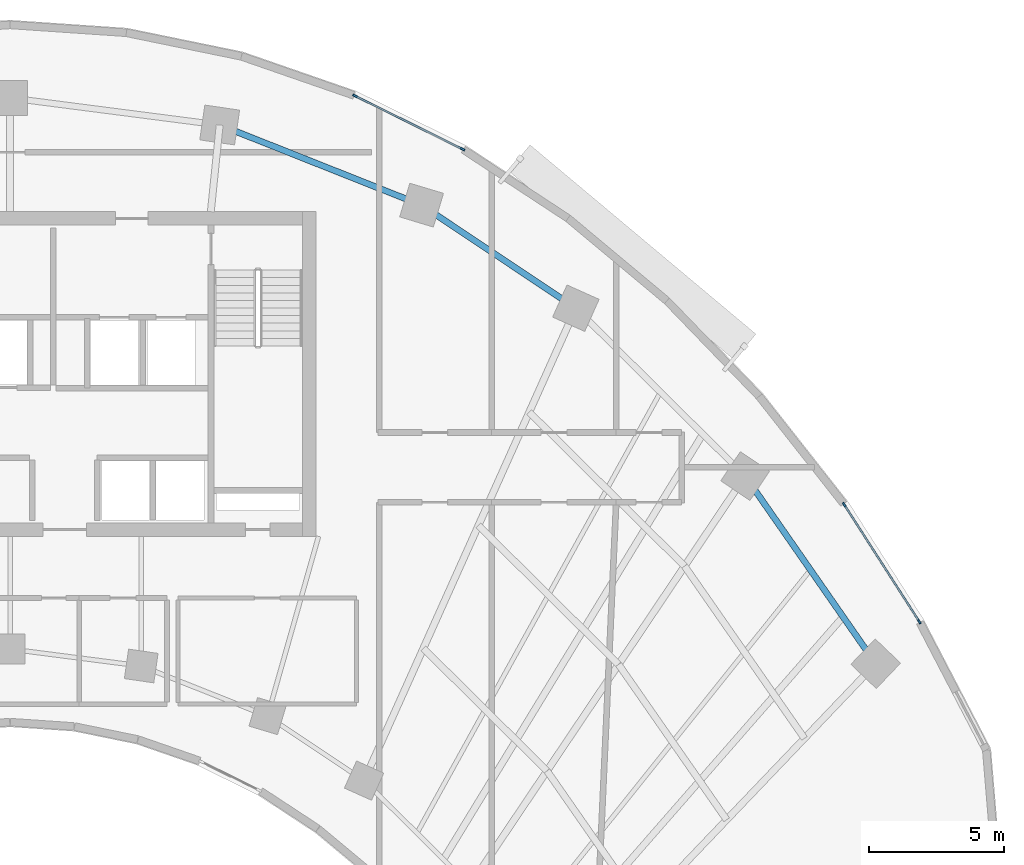
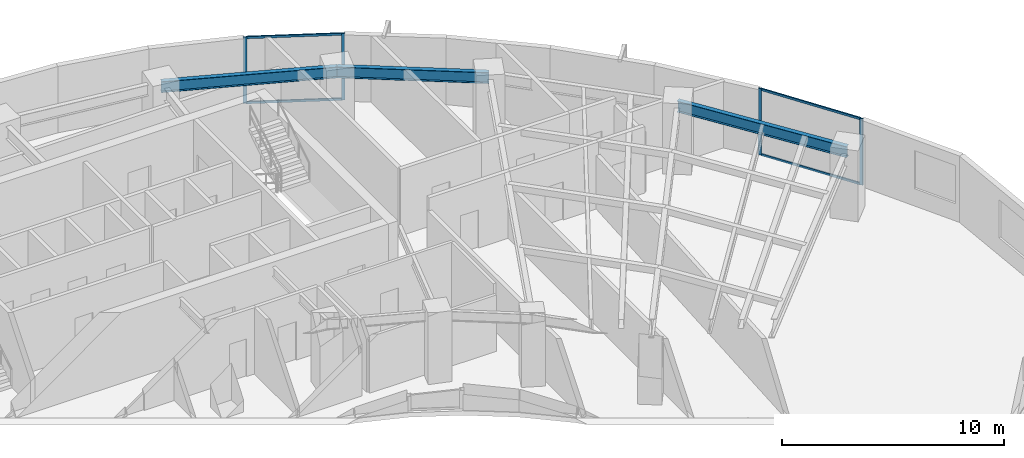
# One storey, part 6 of 14: 8 members, 3 beams, 2 elements without a shape of their own.
"""IFC4 building model written with IfcOpenShell, lengths in metres."""

from ifc_helpers import new_model, si_unit, direction, frame, origin, origin_2d, place, context, subcontext, project, spatial, rectangle, i_section, extrude, source, transform, mapped, material, layer, layer_set, material_profile, profile_set, type_object, element, aggregate, save


model = new_model("IFC4")

# Units and contexts
model_context = context("Model", 3, precision=1e-05, world=origin(), true_north=direction((0.0, 1.0)))
body_context = subcontext(model_context, "Body", "Model", "MODEL_VIEW")
ifc_project = project(units=[si_unit("LENGTHUNIT", "METRE"), si_unit("AREAUNIT", "SQUARE_METRE"), si_unit("VOLUMEUNIT", "CUBIC_METRE"), si_unit("PLANEANGLEUNIT", "RADIAN"), si_unit("MASSUNIT", "GRAM", prefix="KILO")], contexts=[model_context])

# Site, building, storey
site_placement = place(None, origin())
site = spatial("IfcSite", under=ifc_project, at=site_placement, CompositionType="ELEMENT")
building_placement = place(site_placement, origin())
building = spatial("IfcBuilding", under=site, at=building_placement, Name="Breltana Convention Tower", CompositionType="ELEMENT")
storey_placement = place(building_placement, frame((0.0, 0.0, 131.10009765625)))
storey = spatial("IfcBuildingStorey", under=building, at=storey_placement, Name="L31", CompositionType="ELEMENT", Elevation=131.10009765625)

# Beams
ifc_material_1 = material(Name="Steel ASTM A992 Grade 50", Category="steel")
ifc_material_profile_1 = material_profile(ifc_material_1, i_section(OverallWidth=0.22802734375, OverallDepth=0.60791015625, WebThickness=0.01123046875, FlangeThickness=0.017333984375, at=origin_2d()), Name="W24X76")
ifc_profile_set_1 = profile_set([ifc_material_profile_1], Name="Steel ASTM A992 Grade 50")
beam_type = type_object("IfcBeamType", Name="BM-SP-W24X76", PredefinedType="SPANDREL", material=ifc_profile_set_1)
shared_shape_1 = source(origin(), body_context, "Body", "SweptSolid", [
    extrude(i_section(OverallWidth=0.22802734375, OverallDepth=0.60791015625, WebThickness=0.01123046875, FlangeThickness=0.017333984375, at=origin_2d()), origin(), (0.0, 0.0, 1.0), 8.028564453125),
])
beam_1_placement = place(storey_placement, frame((55.746826171875, 75.404296875, 3.345947265625), z_axis=(0.929459100394, -0.368925169507, 0.0), x_axis=(0.368925169507, 0.929459100394, 0.0)))
element("IfcBeam", 1, at=beam_1_placement, inside=storey, type_object=beam_type, Name="L31 Outer Spandrel Beam 07", PredefinedType="SPANDREL", context=body_context, shape_type="MappedRepresentation", body=[
    mapped(shared_shape_1, transform((0.0, 0.0, 0.0), scale=1.0)),
])
shared_shape_2 = source(origin(), body_context, "Body", "SweptSolid", [
    extrude(i_section(OverallWidth=0.22802734375, OverallDepth=0.60791015625, WebThickness=0.01123046875, FlangeThickness=0.017333984375, at=origin_2d()), origin(), (0.0, 0.0, 1.0), 6.856689453125),
])
beam_2_placement = place(storey_placement, frame((63.208984375, 72.4423828125, 3.345947265625), z_axis=(0.83150210718, -0.55552159792, 0.0), x_axis=(0.55552159792, 0.83150210718, 0.0)))
element("IfcBeam", 2, at=beam_2_placement, inside=storey, type_object=beam_type, Name="L31 Outer Spandrel Beam 08", PredefinedType="SPANDREL", context=body_context, shape_type="MappedRepresentation", body=[
    mapped(shared_shape_2, transform((0.0, 0.0, 0.0), scale=1.0)),
])
shared_shape_3 = source(origin(), body_context, "Body", "SweptSolid", [
    extrude(i_section(OverallWidth=0.22802734375, OverallDepth=0.60791015625, WebThickness=0.01123046875, FlangeThickness=0.017333984375, at=origin_2d()), origin(), (0.0, 0.0, 1.0), 8.44970703125),
])
beam_3_placement = place(storey_placement, frame((75.166748046875, 62.43017578125, 3.345947265625), z_axis=(0.5711855381, -0.820820979913, 0.0), x_axis=(0.820820979913, 0.5711855381, 0.0)))
element("IfcBeam", 3, at=beam_3_placement, inside=storey, type_object=beam_type, Name="L31 Outer Spandrel Beam 10", PredefinedType="SPANDREL", context=body_context, shape_type="MappedRepresentation", body=[
    mapped(shared_shape_3, transform((0.0, 0.0, 0.0), scale=1.0)),
])

# Curtain wall, members
ifc_material_2 = material(Name="Aluminium Anodised Bronze Frame", Category="aluminium")
ifc_layer = layer(ifc_material_2, 0.22998046875, Name="Aluminium Anodised Bronze Frame")
ifc_layer_set = layer_set([ifc_layer], Name="Aluminium Anodised Bronze Frame")
curtain_wall_type = type_object("IfcCurtainWallType", Name="CW-SYS-5", PredefinedType="NOTDEFINED", material=ifc_layer_set)
curtain_wall_1_placement = place(storey_placement, origin())
curtain_wall_1 = element("IfcCurtainWall", 4, at=curtain_wall_1_placement, inside=storey, type_object=curtain_wall_type, Name="L31 outer double-skin inner glazing 4", PredefinedType="NOTDEFINED")
ifc_material_3 = material(Name="Aluminium Anodised Bronze", Category="aluminium")
ifc_material_profile_2 = material_profile(ifc_material_3, rectangle(XDim=0.070068359375, YDim=0.175048828125, at=origin_2d()), Name="CWM-70X175")
ifc_profile_set_2 = profile_set([ifc_material_profile_2], Name="Aluminium Anodised Bronze")
member_type_1 = type_object("IfcMemberType", Name="CWM-175", PredefinedType="MULLION", material=ifc_profile_set_2)
shared_shape_4 = source(origin(), body_context, "Body", "SweptSolid", [
    extrude(rectangle(XDim=0.070068359375, YDim=0.175048828125, at=origin_2d()), origin(), (0.0, 0.0, 1.0), 3.64990234375),
])
member_1_placement = place(storey_placement, frame((60.74560546875, 76.48193359375, 0.0), z_axis=(0.0, 0.0, 1.0), x_axis=(0.444121541007, 0.895966548937, 0.0)))
member_1 = element("IfcMember", 5, at=member_1_placement, type_object=member_type_1, Name="CW-05 mullion 1", PredefinedType="MULLION", context=body_context, shape_type="MappedRepresentation", body=[
    mapped(shared_shape_4, transform((0.0, 0.0, 0.0), scale=1.0)),
])
member_2_placement = place(storey_placement, frame((64.719970703125, 74.511962890625, 0.0), z_axis=(0.0, 0.0, 1.0), x_axis=(0.444121541007, 0.895966548937, 0.0)))
member_2 = element("IfcMember", 6, at=member_2_placement, type_object=member_type_1, Name="CW-05 mullion 2", PredefinedType="MULLION", context=body_context, shape_type="MappedRepresentation", body=[
    mapped(shared_shape_4, transform((0.0, 0.0, 0.0), scale=1.0)),
])

curtain_wall_2_placement = place(storey_placement, origin())
curtain_wall_2 = element("IfcCurtainWall", 7, at=curtain_wall_2_placement, inside=storey, type_object=curtain_wall_type, Name="L31 outer double-skin inner glazing 5", PredefinedType="NOTDEFINED")
member_3_placement = place(storey_placement, frame((78.830322265625, 61.370849609375, 0.0), z_axis=(0.0, 0.0, 1.0), x_axis=(0.84155155167, 0.540176809834, 0.0)))
member_3 = element("IfcMember", 8, at=member_3_placement, type_object=member_type_1, Name="CW-05 mullion 1", PredefinedType="MULLION", context=body_context, shape_type="MappedRepresentation", body=[
    mapped(shared_shape_4, transform((0.0, 0.0, 0.0), scale=1.0)),
])
member_4_placement = place(storey_placement, frame((81.604248046875, 57.049560546875, 0.0), z_axis=(0.0, 0.0, 1.0), x_axis=(0.84155155167, 0.540176809834, 0.0)))
member_4 = element("IfcMember", 9, at=member_4_placement, type_object=member_type_1, Name="CW-05 mullion 2", PredefinedType="MULLION", context=body_context, shape_type="MappedRepresentation", body=[
    mapped(shared_shape_4, transform((0.0, 0.0, 0.0), scale=1.0)),
])

# Member
ifc_material_profile_3 = material_profile(ifc_material_3, rectangle(XDim=0.070068359375, YDim=0.1201171875, at=origin_2d()), Name="CWT-70X120")
ifc_profile_set_3 = profile_set([ifc_material_profile_3], Name="Aluminium Anodised Bronze")
member_type_2 = type_object("IfcMemberType", Name="CWT-120", PredefinedType="USERDEFINED", material=ifc_profile_set_3)
shared_shape_5 = source(origin(), body_context, "Body", "SweptSolid", [
    extrude(rectangle(XDim=0.070068359375, YDim=0.1201171875, at=origin_2d()), origin(), (0.0, 0.0, 1.0), 4.365478515625),
])
member_5_placement = place(storey_placement, frame((60.777099609375, 76.46630859375, 0.034912109375), z_axis=(0.89595425125, -0.44414634938, 0.0), x_axis=(0.44414634938, 0.89595425125, 0.0)))
member_5 = element("IfcMember", 10, at=member_5_placement, type_object=member_type_2, Name="CW-05 transom 1.1", ObjectType="TRANSOM", PredefinedType="USERDEFINED", context=body_context, shape_type="MappedRepresentation", body=[
    mapped(shared_shape_5, transform((0.0, 0.0, 0.0), scale=1.0)),
])

member_6_placement = place(storey_placement, frame((60.777099609375, 76.46630859375, 3.614990234375), z_axis=(0.89595425125, -0.44414634938, 0.0), x_axis=(0.44414634938, 0.89595425125, 0.0)))
member_6 = element("IfcMember", 11, at=member_6_placement, type_object=member_type_2, Name="CW-05 transom 1.2", ObjectType="TRANSOM", PredefinedType="USERDEFINED", context=body_context, shape_type="MappedRepresentation", body=[
    mapped(shared_shape_5, transform((0.0, 0.0, 0.0), scale=1.0)),
])

aggregate(curtain_wall_1, [member_1, member_2, member_5, member_6])

shared_shape_6 = source(origin(), body_context, "Body", "SweptSolid", [
    extrude(rectangle(XDim=0.070068359375, YDim=0.1201171875, at=origin_2d()), origin(), (0.0, 0.0, 1.0), 5.065185546875),
])
member_7_placement = place(storey_placement, frame((78.849365234375, 61.341552734375, 0.034912109375), z_axis=(0.540167932383, -0.84155724988, 0.0), x_axis=(0.84155724988, 0.540167932383, 0.0)))
member_7 = element("IfcMember", 12, at=member_7_placement, type_object=member_type_2, Name="CW-05 transom 1.1", ObjectType="TRANSOM", PredefinedType="USERDEFINED", context=body_context, shape_type="MappedRepresentation", body=[
    mapped(shared_shape_6, transform((0.0, 0.0, 0.0), scale=1.0)),
])

member_8_placement = place(storey_placement, frame((78.849365234375, 61.341552734375, 3.614990234375), z_axis=(0.540167932383, -0.84155724988, 0.0), x_axis=(0.84155724988, 0.540167932383, 0.0)))
member_8 = element("IfcMember", 13, at=member_8_placement, type_object=member_type_2, Name="CW-05 transom 1.2", ObjectType="TRANSOM", PredefinedType="USERDEFINED", context=body_context, shape_type="MappedRepresentation", body=[
    mapped(shared_shape_6, transform((0.0, 0.0, 0.0), scale=1.0)),
])

aggregate(curtain_wall_2, [member_3, member_4, member_7, member_8])

save(model, "model.ifc")
